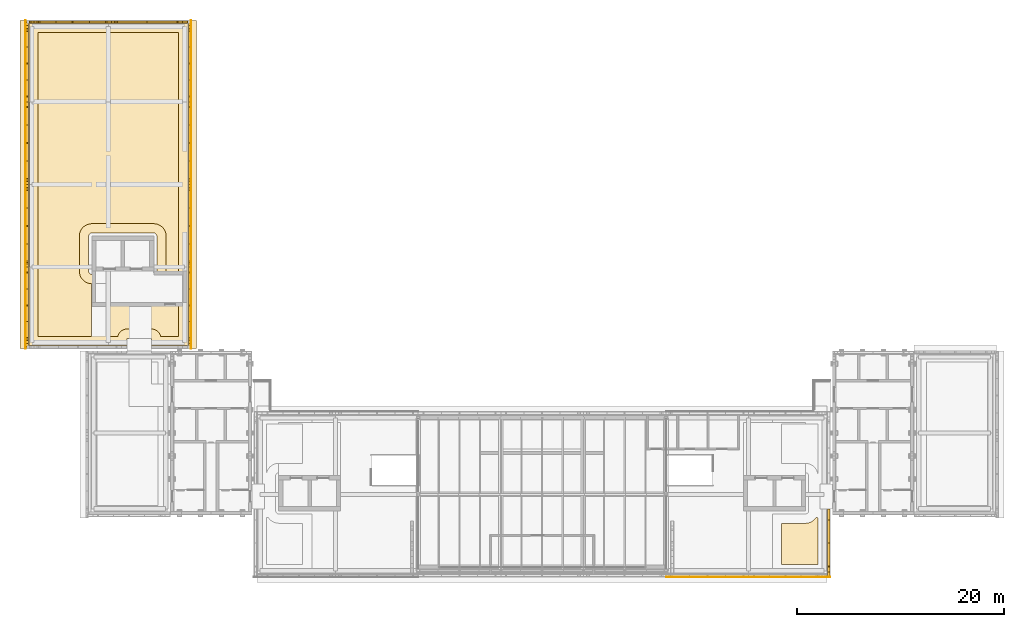
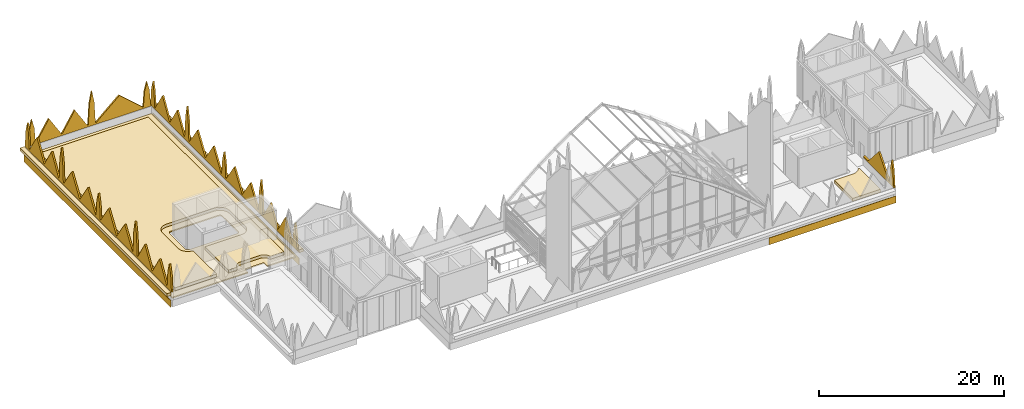
# One storey, part 16 of 18: 12 coverings.
"""IFC4 building model written with IfcOpenShell, lengths in metres."""

from ifc_helpers import new_model, si_unit, direction, frame, frame_2d, origin, place, context, subcontext, project, spatial, polyline, rectangle, outline, extrude, material, layer, layer_set, type_object, element, save


model = new_model("IFC4")

# Units and contexts
model_context = context("Model", 3, precision=1e-05, world=origin(), true_north=direction((0.0, 1.0)))
body_context = subcontext(model_context, "Body", "Model", "MODEL_VIEW")
ifc_project = project(units=[si_unit("LENGTHUNIT", "METRE"), si_unit("AREAUNIT", "SQUARE_METRE"), si_unit("VOLUMEUNIT", "CUBIC_METRE"), si_unit("PLANEANGLEUNIT", "RADIAN"), si_unit("MASSUNIT", "GRAM", prefix="KILO")], contexts=[model_context])

# Site, building, storey
site_placement = place(None, origin())
site = spatial("IfcSite", under=ifc_project, at=site_placement, CompositionType="ELEMENT")
building_placement = place(site_placement, origin())
building = spatial("IfcBuilding", under=site, at=building_placement, Name="Lantern Court Media Centre", CompositionType="ELEMENT")
storey_placement = place(building_placement, frame((0.0, 0.0, 33.60009765625)))
storey = spatial("IfcBuildingStorey", under=building, at=storey_placement, Name="R00", CompositionType="ELEMENT", Elevation=33.60009765625)

# Coverings
ifc_material_1 = material(Name="White glass-fibre reinforced cement cladding", Category="concrete")
ifc_layer_1 = layer(ifc_material_1, 0.050048828125)
ifc_layer_set_1 = layer_set([ifc_layer_1], Name="White glass-fibre reinforced cement cladding")
covering_type_1 = type_object("IfcCoveringType", Name="Floor-edge band 50", PredefinedType="CLADDING", material=ifc_layer_set_1)
covering_1_placement = place(storey_placement, frame((64.0, 41.97509765625, -0.900146484375), z_axis=(0.0, 0.0, 1.0), x_axis=(1.0, 0.0, 0.0)))
element("IfcCovering", 1, at=covering_1_placement, inside=storey, type_object=covering_type_1, Name="Floor-edge band S outer roof", PredefinedType="CLADDING", context=body_context, shape_type="SweptSolid", body=[
    extrude(rectangle(XDim=15.89990234375, YDim=0.050048828125, at=frame_2d((7.949951171875, 0.0))), origin(), (0.0, 0.0, 1.0), 0.900146484375),
])
for number, where, z_axis, x_axis, name in (
    (2, (1.97509765625, 64.10009765625, -0.900146484375), (0.0, 0.0, 1.0), (0.0, 1.0, 0.0), "Floor-edge band W outer roof"),
    (3, (18.02490234375, 64.10009765625, -0.900146484375), (0.0, 0.0, 1.0), (0.0, 1.0, 0.0), "Floor-edge band W inner roof"),
):
    element("IfcCovering", number, at=place(storey_placement, frame(where, z_axis=z_axis, x_axis=x_axis)), inside=storey, type_object=covering_type_1, Name=name, PredefinedType="CLADDING", context=body_context, shape_type="SweptSolid", body=[
        extrude(rectangle(XDim=31.7998046875, YDim=0.050048828125, at=frame_2d((15.89990234375, 0.0))), origin(), (0.0, 0.0, 1.0), 0.900146484375),
    ])
ifc_material_2 = material(Name="Honed limestone cladding on blockwork", Category="masonry")
ifc_layer_2 = layer(ifc_material_2, 0.550048828125)
ifc_layer_set_2 = layer_set([ifc_layer_2], Name="Honed limestone cladding on blockwork")
covering_type_2 = type_object("IfcCoveringType", Name="Limestone cornice 550", PredefinedType="CLADDING", material=ifc_layer_set_2)
for number, where, z_axis, x_axis, name in (
    (4, (1.72509765625, 64.10009765625, 0.699951171875), (0.0, 0.0, 1.0), (0.0, 1.0, 0.0), "Attic cornice"),
    (5, (18.27490234375, 64.10009765625, 0.699951171875), (0.0, 0.0, 1.0), (0.0, 1.0, 0.0), "Attic cornice"),
):
    element("IfcCovering", number, at=place(storey_placement, frame(where, z_axis=z_axis, x_axis=x_axis)), inside=storey, type_object=covering_type_2, Name=name, PredefinedType="CLADDING", context=body_context, shape_type="SweptSolid", body=[
        extrude(rectangle(XDim=31.7998046875, YDim=0.550048828125, at=frame_2d((15.89990234375, 0.0))), origin(), (0.0, 0.0, 1.0), 0.39990234375),
    ])
ifc_layer_3 = layer(ifc_material_2, 0.199951171875)
ifc_layer_set_3 = layer_set([ifc_layer_3], Name="Honed limestone cladding on blockwork")
covering_type_3 = type_object("IfcCoveringType", Name="Limestone cresting 200", PredefinedType="CLADDING", material=ifc_layer_set_3)
covering_2_placement = place(storey_placement, frame((79.75, 42.0, 1.099853515625), z_axis=(0.0, 0.0, 1.0), x_axis=(0.0, 1.0, 0.0)))
element("IfcCovering", 6, at=covering_2_placement, inside=storey, type_object=covering_type_3, Name="Parapet cresting", PredefinedType="CLADDING", context=body_context, shape_type="SweptSolid", body=[
    extrude(outline(polyline([(0.0, 0.0), (6.60009765625, 0.0), (6.60009765625, 0.25), (5.530029296875, 0.25), (3.300048828125, 2.800048828125), (1.070068359375, 0.25), (0.949951171875, 0.25), (0.800048828125, 2.2099609375), (0.5, 3.400146484375), (0.199951171875, 2.2099609375), (0.050048828125, 0.25), (0.0, 0.25), (0.0, 0.0)])), frame((0.0, 0.10009765625, 0.0), z_axis=(0.0, -1.0, 0.0), x_axis=(1.0, 0.0, 0.0)), (0.0, 0.0, 1.0), 0.199951171875),
])
for number, where, z_axis, x_axis, name in (
    (7, (2.14990234375, 64.10009765625, 1.099853515625), (0.0, 0.0, 1.0), (0.0, 1.0, 0.0), "Parapet cresting"),
    (8, (17.85009765625, 64.10009765625, 1.099853515625), (0.0, 0.0, 1.0), (0.0, 1.0, 0.0), "Parapet cresting"),
):
    element("IfcCovering", number, at=place(storey_placement, frame(where, z_axis=z_axis, x_axis=x_axis)), inside=storey, type_object=covering_type_3, Name=name, PredefinedType="CLADDING", context=body_context, shape_type="SweptSolid", body=[
        extrude(outline(polyline([(0.0, 0.0), (31.7998046875, 0.0), (31.800048828125, 0.25), (31.75, 0.25), (31.60009765625, 2.2099609375), (31.300048828125, 3.400146484375), (31.0, 2.2099609375), (30.85009765625, 0.25), (30.72998046875, 0.25), (29.18994140625, 2.800048828125), (27.64990234375, 0.25), (27.550048828125, 0.25), (26.010009765625, 2.800048828125), (24.469970703125, 0.25), (24.35009765625, 0.25), (24.199951171875, 2.983642578125), (23.89990234375, 4.590087890625), (23.60009765625, 2.983642578125), (23.449951171875, 0.25), (23.330078125, 0.25), (21.639892578125, 2.800048828125), (19.949951171875, 0.25), (19.85009765625, 0.25), (18.159912109375, 2.800048828125), (16.469970703125, 0.25), (16.35009765625, 0.25), (16.199951171875, 2.2099609375), (15.89990234375, 3.400146484375), (15.60009765625, 2.2099609375), (15.449951171875, 0.25), (15.330078125, 0.25), (13.639892578125, 2.800048828125), (11.949951171875, 0.25), (11.85009765625, 0.25), (10.159912109375, 2.800048828125), (8.469970703125, 0.25), (8.35009765625, 0.25), (8.199951171875, 2.983642578125), (7.89990234375, 4.590087890625), (7.60009765625, 2.983642578125), (7.449951171875, 0.25), (7.330078125, 0.25), (5.7900390625, 2.800048828125), (4.25, 0.25), (4.14990234375, 0.25), (2.610107421875, 2.800048828125), (1.070068359375, 0.25), (0.949951171875, 0.25), (0.800048828125, 2.2099609375), (0.5, 3.400146484375), (0.199951171875, 2.2099609375), (0.050048828125, 0.25), (0.0, 0.25), (0.0, 0.0)])), frame((0.0, 0.10009765625, 0.0), z_axis=(0.0, -1.0, 0.0), x_axis=(1.0, 0.0, 0.0)), (0.0, 0.0, 1.0), 0.199951171875),
    ])
covering_3_placement = place(storey_placement, frame((2.300048828125, 95.75, 1.099853515625), z_axis=(0.0, 0.0, 1.0), x_axis=(1.0, 0.0, 0.0)))
element("IfcCovering", 9, at=covering_3_placement, inside=storey, type_object=covering_type_3, Name="Parapet cresting", PredefinedType="CLADDING", context=body_context, shape_type="SweptSolid", body=[
    extrude(outline(polyline([(0.0, 0.0), (15.39990234375, 0.0), (15.39990234375, 0.25), (15.35009765625, 0.25), (15.199951171875, 2.2099609375), (14.89990234375, 3.400146484375), (14.60009765625, 2.2099609375), (14.449951171875, 0.25), (14.330078125, 0.25), (11.449951171875, 2.800048828125), (8.570068359375, 0.25), (8.449951171875, 0.25), (8.300048828125, 2.983642578125), (8.0, 4.590087890625), (7.699951171875, 2.983642578125), (7.550048828125, 0.25), (7.429931640625, 0.25), (5.864990234375, 2.800048828125), (4.300048828125, 0.25), (4.199951171875, 0.25), (2.635009765625, 2.800048828125), (1.070068359375, 0.25), (0.949951171875, 0.25), (0.800048828125, 2.2099609375), (0.5, 3.400146484375), (0.199951171875, 2.2099609375), (0.050048828125, 0.25), (0.0, 0.25), (0.0, 0.0)])), frame((0.0, 0.10009765625, 0.0), z_axis=(0.0, -1.0, 0.0), x_axis=(1.0, 0.0, 0.0)), (0.0, 0.0, 1.0), 0.199951171875),
])
ifc_material_3 = material(Name="Planting substrate")
ifc_layer_4 = layer(ifc_material_3, 0.39990234375)
ifc_layer_set_4 = layer_set([ifc_layer_4], Name="Planting substrate")
covering_type_4 = type_object("IfcCoveringType", Name="Planted roof garden build-up 400", PredefinedType="ROOFING", material=ifc_layer_set_4)
covering_4_placement = place(storey_placement, frame((0.0, 0.0, 0.14990234375)))
element("IfcCovering", 10, at=covering_4_placement, inside=storey, type_object=covering_type_4, Name="Planted roof garden S", PredefinedType="ROOFING", context=body_context, shape_type="SweptSolid", body=[
    extrude(outline(polyline([(78.699951171875, 47.722900390625), (78.699951171875, 43.199951171875), (75.199951171875, 43.199951171875), (75.199951171875, 47.199951171875), (77.5, 47.199951171875), (77.5439453125, 47.200927734375), (77.573974609375, 47.202880859375), (77.660888671875, 47.2109375), (77.69091796875, 47.216064453125), (77.777099609375, 47.23291015625), (77.805908203125, 47.239990234375), (77.889892578125, 47.26611328125), (77.91796875, 47.27490234375), (78.0, 47.30908203125), (78.02587890625, 47.322021484375), (78.10400390625, 47.363037109375), (78.12890625, 47.37890625), (78.202880859375, 47.427978515625), (78.22607421875, 47.445068359375), (78.294921875, 47.5009765625), (78.31689453125, 47.52099609375), (78.37890625, 47.5830078125), (78.39892578125, 47.60498046875), (78.455078125, 47.674072265625), (78.471923828125, 47.697021484375), (78.529052734375, 47.781005859375), (78.555908203125, 47.76904296875), (78.638916015625, 47.739013671875), (78.699951171875, 47.722900390625)])), origin(), (0.0, 0.0, 1.0), 0.39990234375),
])
covering_5_placement = place(storey_placement, frame((0.0, 0.0, 0.14990234375)))
element("IfcCovering", 11, at=covering_5_placement, inside=storey, type_object=covering_type_4, Name="Planted roof garden W", PredefinedType="ROOFING", context=body_context, shape_type="SweptSolid", body=[
    extrude(outline(polyline([(8.37890625, 65.300048828125), (3.199951171875, 65.300048828125), (3.199951171875, 94.699951171875), (16.800048828125, 94.699951171875), (16.800048828125, 65.300048828125), (15.076904296875, 65.300048828125), (15.06103515625, 65.361083984375), (15.031005859375, 65.444091796875), (14.993896484375, 65.52392578125), (14.947998046875, 65.60009765625), (14.89599609375, 65.6708984375), (14.8359375, 65.736083984375), (14.77099609375, 65.7958984375), (14.699951171875, 65.847900390625), (14.6240234375, 65.89404296875), (14.5439453125, 65.930908203125), (14.4609375, 65.9609375), (14.3759765625, 65.98291015625), (14.2880859375, 65.99609375), (14.199951171875, 66.0), (11.800048828125, 66.0), (11.7119140625, 65.99609375), (11.6240234375, 65.98291015625), (11.5390625, 65.9609375), (11.4560546875, 65.930908203125), (11.3759765625, 65.89404296875), (11.300048828125, 65.847900390625), (11.22900390625, 65.7958984375), (11.1640625, 65.736083984375), (11.10400390625, 65.6708984375), (11.052001953125, 65.60009765625), (11.006103515625, 65.52392578125), (10.968994140625, 65.444091796875), (10.93896484375, 65.361083984375), (10.923095703125, 65.300048828125), (9.87890625, 65.300048828125), (9.87890625, 70.39990234375), (14.39990234375, 70.39990234375), (14.444091796875, 70.40087890625), (14.47412109375, 70.403076171875), (14.56103515625, 70.410888671875), (14.591064453125, 70.416015625), (14.677001953125, 70.43310546875), (14.7060546875, 70.43994140625), (14.7900390625, 70.466064453125), (14.818115234375, 70.47509765625), (14.89990234375, 70.509033203125), (14.926025390625, 70.52197265625), (15.00390625, 70.56298828125), (15.029052734375, 70.5791015625), (15.10302734375, 70.6279296875), (15.1259765625, 70.64501953125), (15.195068359375, 70.700927734375), (15.217041015625, 70.720947265625), (15.279052734375, 70.782958984375), (15.299072265625, 70.804931640625), (15.35498046875, 70.8740234375), (15.3720703125, 70.89697265625), (15.4208984375, 70.970947265625), (15.43701171875, 70.99609375), (15.47802734375, 71.073974609375), (15.490966796875, 71.10009765625), (15.52490234375, 71.181884765625), (15.533935546875, 71.2099609375), (15.56005859375, 71.2939453125), (15.56689453125, 71.322998046875), (15.583984375, 71.408935546875), (15.589111328125, 71.43896484375), (15.596923828125, 71.52587890625), (15.59912109375, 71.555908203125), (15.60009765625, 71.60009765625), (15.60009765625, 75.0), (15.59912109375, 75.0439453125), (15.596923828125, 75.073974609375), (15.589111328125, 75.160888671875), (15.583984375, 75.19091796875), (15.56689453125, 75.277099609375), (15.56005859375, 75.305908203125), (15.533935546875, 75.389892578125), (15.52490234375, 75.41796875), (15.490966796875, 75.5), (15.47802734375, 75.52587890625), (15.43701171875, 75.60400390625), (15.4208984375, 75.62890625), (15.3720703125, 75.702880859375), (15.35498046875, 75.72607421875), (15.299072265625, 75.794921875), (15.279052734375, 75.81689453125), (15.217041015625, 75.87890625), (15.195068359375, 75.89892578125), (15.1259765625, 75.955078125), (15.10302734375, 75.971923828125), (15.029052734375, 76.02099609375), (15.00390625, 76.037109375), (14.926025390625, 76.077880859375), (14.89990234375, 76.091064453125), (14.818115234375, 76.125), (14.7900390625, 76.134033203125), (14.7060546875, 76.159912109375), (14.677001953125, 76.1669921875), (14.591064453125, 76.18408203125), (14.56103515625, 76.18896484375), (14.47412109375, 76.197021484375), (14.444091796875, 76.198974609375), (14.39990234375, 76.199951171875), (8.39990234375, 76.199951171875), (8.35595703125, 76.198974609375), (8.325927734375, 76.197021484375), (8.239013671875, 76.18896484375), (8.208984375, 76.18408203125), (8.123046875, 76.1669921875), (8.093994140625, 76.159912109375), (8.010009765625, 76.134033203125), (7.98193359375, 76.125), (7.89990234375, 76.091064453125), (7.8740234375, 76.077880859375), (7.7958984375, 76.037109375), (7.77099609375, 76.02099609375), (7.697021484375, 75.971923828125), (7.674072265625, 75.955078125), (7.60498046875, 75.89892578125), (7.5830078125, 75.87890625), (7.52099609375, 75.81689453125), (7.5009765625, 75.794921875), (7.445068359375, 75.72607421875), (7.427978515625, 75.702880859375), (7.37890625, 75.62890625), (7.363037109375, 75.60400390625), (7.322021484375, 75.52587890625), (7.30908203125, 75.5), (7.27490234375, 75.41796875), (7.26611328125, 75.389892578125), (7.239990234375, 75.305908203125), (7.23291015625, 75.277099609375), (7.216064453125, 75.19091796875), (7.2109375, 75.160888671875), (7.202880859375, 75.073974609375), (7.200927734375, 75.0439453125), (7.199951171875, 75.0), (7.199951171875, 71.60009765625), (7.200927734375, 71.555908203125), (7.202880859375, 71.52587890625), (7.2109375, 71.43896484375), (7.216064453125, 71.408935546875), (7.23291015625, 71.322998046875), (7.239990234375, 71.2939453125), (7.26611328125, 71.2099609375), (7.27490234375, 71.181884765625), (7.30908203125, 71.10009765625), (7.322021484375, 71.073974609375), (7.363037109375, 70.99609375), (7.37890625, 70.970947265625), (7.427978515625, 70.89697265625), (7.445068359375, 70.8740234375), (7.5009765625, 70.804931640625), (7.52099609375, 70.782958984375), (7.5830078125, 70.720947265625), (7.60498046875, 70.700927734375), (7.674072265625, 70.64501953125), (7.697021484375, 70.6279296875), (7.77099609375, 70.5791015625), (7.7958984375, 70.56298828125), (7.8740234375, 70.52197265625), (7.89990234375, 70.509033203125), (7.98193359375, 70.47509765625), (8.010009765625, 70.466064453125), (8.093994140625, 70.43994140625), (8.123046875, 70.43310546875), (8.208984375, 70.416015625), (8.239013671875, 70.410888671875), (8.325927734375, 70.403076171875), (8.37890625, 70.39990234375), (8.37890625, 65.300048828125)])), origin(), (0.0, 0.0, 1.0), 0.39990234375),
])
ifc_material_4 = material(Name="Bituminous waterproofing membrane with insulation")
ifc_layer_5 = layer(ifc_material_4, 0.14990234375)
ifc_layer_set_5 = layer_set([ifc_layer_5], Name="Bituminous waterproofing membrane with insulation")
covering_type_5 = type_object("IfcCoveringType", Name="Roof waterproofing and insulation 150", PredefinedType="ROOFING", material=ifc_layer_set_5)
covering_6_placement = place(storey_placement, origin())
element("IfcCovering", 12, at=covering_6_placement, inside=storey, type_object=covering_type_5, Name="Roof waterproofing W", PredefinedType="ROOFING", context=body_context, shape_type="SweptSolid", body=[
    extrude(outline(polyline([(17.699951171875, 95.60009765625), (17.699951171875, 64.39990234375), (14.199951171875, 64.39990234375), (14.199951171875, 65.10009765625), (11.800048828125, 65.10009765625), (11.800048828125, 64.39990234375), (2.300048828125, 64.39990234375), (2.300048828125, 95.60009765625), (17.699951171875, 95.60009765625)]), holes=[polyline([(14.487060546875, 71.31298828125), (14.514892578125, 71.322998046875), (14.541015625, 71.3349609375), (14.56689453125, 71.35107421875), (14.590087890625, 71.367919921875), (14.612060546875, 71.387939453125), (14.632080078125, 71.409912109375), (14.64892578125, 71.43310546875), (14.6650390625, 71.458984375), (14.677001953125, 71.485107421875), (14.68701171875, 71.512939453125), (14.694091796875, 71.541015625), (14.698974609375, 71.571044921875), (14.699951171875, 71.60009765625), (14.699951171875, 75.0), (14.698974609375, 75.029052734375), (14.694091796875, 75.05908203125), (14.68701171875, 75.0869140625), (14.677001953125, 75.114990234375), (14.6650390625, 75.14111328125), (14.64892578125, 75.1669921875), (14.632080078125, 75.18994140625), (14.612060546875, 75.2119140625), (14.590087890625, 75.23193359375), (14.56689453125, 75.2490234375), (14.541015625, 75.264892578125), (14.514892578125, 75.277099609375), (14.487060546875, 75.287109375), (14.458984375, 75.2939453125), (14.428955078125, 75.299072265625), (14.39990234375, 75.300048828125), (8.39990234375, 75.300048828125), (8.37109375, 75.299072265625), (8.341064453125, 75.2939453125), (8.31298828125, 75.287109375), (8.284912109375, 75.277099609375), (8.259033203125, 75.264892578125), (8.23291015625, 75.2490234375), (8.2099609375, 75.23193359375), (8.18798828125, 75.2119140625), (8.16796875, 75.18994140625), (8.15087890625, 75.1669921875), (8.135009765625, 75.14111328125), (8.123046875, 75.114990234375), (8.113037109375, 75.0869140625), (8.10595703125, 75.05908203125), (8.10107421875, 75.029052734375), (8.10009765625, 75.0), (8.10009765625, 71.60009765625), (8.10107421875, 71.571044921875), (8.10595703125, 71.541015625), (8.113037109375, 71.512939453125), (8.123046875, 71.485107421875), (8.135009765625, 71.458984375), (8.15087890625, 71.43310546875), (8.16796875, 71.409912109375), (8.18798828125, 71.387939453125), (8.2099609375, 71.367919921875), (8.23291015625, 71.35107421875), (8.259033203125, 71.3349609375), (8.284912109375, 71.322998046875), (8.31298828125, 71.31298828125), (8.341064453125, 71.305908203125), (8.37109375, 71.301025390625), (8.39990234375, 71.300048828125), (14.39990234375, 71.300048828125), (14.428955078125, 71.301025390625), (14.458984375, 71.305908203125), (14.487060546875, 71.31298828125)])]), origin(), (0.0, 0.0, 1.0), 0.14990234375),
])

save(model, "model.ifc")
